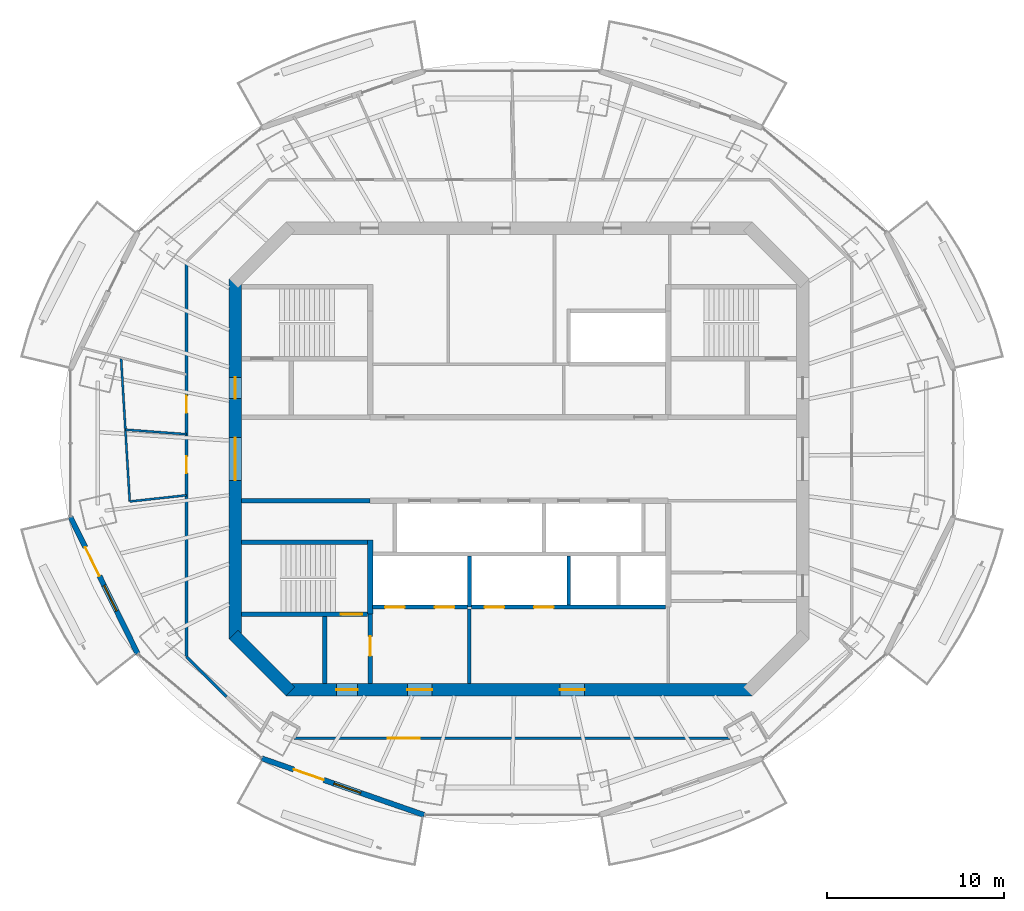
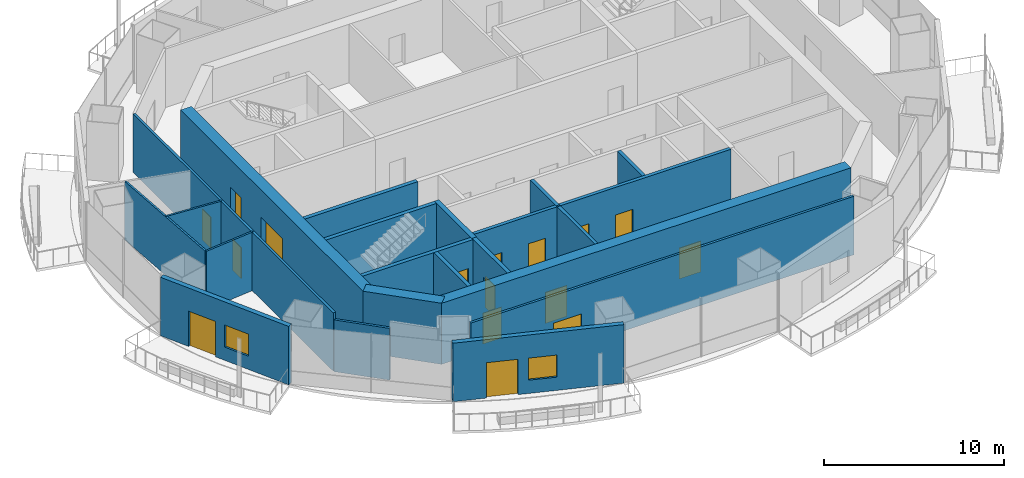
# One storey, part 8 of 15: 22 walls, 16 doors, 2 windows, 18 openings.
"""IFC4 building model written with IfcOpenShell, lengths in metres."""

from ifc_helpers import new_model, si_unit, direction, frame, frame_2d, origin, place, context, subcontext, project, spatial, rectangle, extrude, material, layer, layer_set, type_object, element, fill, save


model = new_model("IFC4")

# Units and contexts
model_context = context("Model", 3, precision=1e-05, world=origin(), true_north=direction((0.0, 1.0)))
body_context = subcontext(model_context, "Body", "Model", "MODEL_VIEW")
ifc_project = project(units=[si_unit("LENGTHUNIT", "METRE"), si_unit("AREAUNIT", "SQUARE_METRE"), si_unit("VOLUMEUNIT", "CUBIC_METRE"), si_unit("PLANEANGLEUNIT", "RADIAN"), si_unit("MASSUNIT", "GRAM", prefix="KILO")], contexts=[model_context])

# Site, building, storey
site_placement = place(None, origin())
site = spatial("IfcSite", under=ifc_project, at=site_placement, CompositionType="ELEMENT")
building_placement = place(site_placement, origin())
building = spatial("IfcBuilding", under=site, at=building_placement, Name="Marenthal Gate Tower", CompositionType="ELEMENT")
storey_placement = place(building_placement, frame((0.0, 0.0, 384.10009765625)))
storey = spatial("IfcBuildingStorey", under=building, at=storey_placement, Name="L87", CompositionType="ELEMENT", Elevation=384.10009765625)

# Wall, openings, doors
ifc_material_1 = material(Name="Concrete 60 MPa", Category="concrete")
ifc_layer_1 = layer(ifc_material_1, 0.699951171875)
ifc_layer_set_1 = layer_set([ifc_layer_1], Name="Core shear wall 700")
wall_type_1 = type_object("IfcWallType", Name="Core shear wall 700", PredefinedType="SHEAR", material=ifc_layer_set_1)
wall_1_placement = place(storey_placement, frame((-16.0, 10.14501953125, -0.18017578125), z_axis=(0.0, 0.0, 1.0), x_axis=(0.0, -1.0, 0.0)))
wall_1 = element("IfcWall", 1, at=wall_1_placement, inside=storey, type_object=wall_type_1, Name="Core wall 06", PredefinedType="SHEAR", context=body_context, shape_type="SweptSolid", body=[
    extrude(rectangle(XDim=20.2900390625, YDim=0.699951171875, at=frame_2d((10.14501953125, 0.0))), origin(), (0.0, 0.0, 1.0), 4.150146484375),
])
opening_1_placement = place(wall_1_placement, frame((8.945068359375, 0.0, 0.179931640625)))
opening_1 = element("IfcOpeningElement", 2, at=opening_1_placement, cuts=wall_1, Name="Opening D003.01", PredefinedType="OPENING", context=body_context, shape_type="SweptSolid", body=[
    extrude(rectangle(XDim=2.39990234375, YDim=2.10009765625, at=frame_2d((1.199951171875, 1.050048828125))), frame((0.0, 0.35986328125, 0.0), z_axis=(0.0, -1.0, 0.0), x_axis=(1.0, 0.0, 0.0)), (0.0, 0.0, 1.0), 0.719970703125),
])
opening_2_placement = place(wall_1_placement, frame((5.544921875, 0.0, 0.179931640625)))
opening_2 = element("IfcOpeningElement", 3, at=opening_2_placement, cuts=wall_1, Name="Opening D001.04", PredefinedType="OPENING", context=body_context, shape_type="SweptSolid", body=[
    extrude(rectangle(XDim=1.199951171875, YDim=2.10009765625, at=frame_2d((0.60009765625, 1.050048828125))), frame((0.0, 0.35986328125, 0.0), z_axis=(0.0, -1.0, 0.0), x_axis=(1.0, 0.0, 0.0)), (0.0, 0.0, 1.0), 0.719970703125),
])
ifc_material_2 = material(Name="Steel fire door", Category="steel")
door_type_1 = type_object("IfcDoorType", Name="Double fire door FD 45 2400 x 2100", OperationType="DOUBLE_DOOR_SINGLE_SWING", PredefinedType="DOOR", material=ifc_material_2)
door_1_placement = place(opening_1_placement, origin())
door_1 = element("IfcDoor", 4, at=door_1_placement, inside=storey, type_object=door_type_1, Name="Door D003.01", OperationType="DOUBLE_DOOR_SINGLE_SWING", OverallHeight=2.10009765625, OverallWidth=2.39990234375, PredefinedType="DOOR", context=body_context, shape_type="SweptSolid", body=[
    extrude(rectangle(XDim=2.39990234375, YDim=2.10009765625, at=frame_2d((1.199951171875, 1.050048828125))), frame((0.0, 0.02490234375, 0.0), z_axis=(0.0, -1.0, 0.0), x_axis=(1.0, 0.0, 0.0)), (0.0, 0.0, 1.0), 0.050048828125),
])
fill(opening_1, door_1)
ifc_material_3 = material(Name="Steel fire door", Category="steel")
door_type_2 = type_object("IfcDoorType", Name="Fire door FD 90 1200 x 2100", OperationType="NOTDEFINED", PredefinedType="DOOR", material=ifc_material_3)
door_2_placement = place(opening_2_placement, origin())
door_2 = element("IfcDoor", 5, at=door_2_placement, inside=storey, type_object=door_type_2, Name="Door D001.04", OperationType="SINGLE_SWING_RIGHT", OverallHeight=2.10009765625, OverallWidth=1.199951171875, PredefinedType="DOOR", context=body_context, shape_type="SweptSolid", body=[
    extrude(rectangle(XDim=1.199951171875, YDim=2.10009765625, at=frame_2d((0.60009765625, 1.050048828125))), frame((0.0, 0.02490234375, 0.0), z_axis=(0.0, -1.0, 0.0), x_axis=(1.0, 0.0, 0.0)), (0.0, 0.0, 1.0), 0.050048828125),
])
fill(opening_2, door_2)

# Wall
wall_2_placement = place(storey_placement, frame((-16.1025390625, -9.8974609375, -0.18017578125), z_axis=(0.0, 0.0, 1.0), x_axis=(0.707106781187, -0.707106781187, 0.0)))
element("IfcWall", 6, at=wall_2_placement, inside=storey, type_object=wall_type_1, Name="Core wall 07", PredefinedType="SHEAR", context=body_context, shape_type="SweptSolid", body=[
    extrude(rectangle(XDim=4.53271484375, YDim=0.699951171875, at=frame_2d((2.266357421875, 0.0))), origin(), (0.0, 0.0, 1.0), 4.150146484375),
])

# Wall, openings, doors
wall_3_placement = place(storey_placement, frame((-13.14501953125, -13.0, -0.18017578125), z_axis=(0.0, 0.0, 1.0), x_axis=(1.0, 0.0, 0.0)))
wall_3 = element("IfcWall", 7, at=wall_3_placement, inside=storey, type_object=wall_type_1, Name="Core wall 08", PredefinedType="SHEAR", context=body_context, shape_type="SweptSolid", body=[
    extrude(rectangle(XDim=26.2900390625, YDim=0.699951171875, at=frame_2d((13.14501953125, 0.0))), origin(), (0.0, 0.0, 1.0), 4.150146484375),
])
opening_3_placement = place(wall_3_placement, frame((2.844970703125, 0.0, 0.179931640625)))
opening_3 = element("IfcOpeningElement", 8, at=opening_3_placement, cuts=wall_3, Name="Opening D001.06", PredefinedType="OPENING", context=body_context, shape_type="SweptSolid", body=[
    extrude(rectangle(XDim=1.199951171875, YDim=2.10009765625, at=frame_2d((0.60009765625, 1.050048828125))), frame((0.0, 0.35986328125, 0.0), z_axis=(0.0, -1.0, 0.0), x_axis=(1.0, 0.0, 0.0)), (0.0, 0.0, 1.0), 0.719970703125),
])
opening_4_placement = place(wall_3_placement, frame((6.844970703125, 0.0, 0.179931640625)))
opening_4 = element("IfcOpeningElement", 9, at=opening_4_placement, cuts=wall_3, Name="Opening D004.01", PredefinedType="OPENING", context=body_context, shape_type="SweptSolid", body=[
    extrude(rectangle(XDim=1.39990234375, YDim=2.10009765625, at=frame_2d((0.699951171875, 1.050048828125))), frame((0.0, 0.35986328125, 0.0), z_axis=(0.0, -1.0, 0.0), x_axis=(1.0, 0.0, 0.0)), (0.0, 0.0, 1.0), 0.719970703125),
])
opening_5_placement = place(wall_3_placement, frame((15.445068359375, 0.0, 0.179931640625)))
opening_5 = element("IfcOpeningElement", 10, at=opening_5_placement, cuts=wall_3, Name="Opening D004.02", PredefinedType="OPENING", context=body_context, shape_type="SweptSolid", body=[
    extrude(rectangle(XDim=1.39990234375, YDim=2.10009765625, at=frame_2d((0.699951171875, 1.050048828125))), frame((0.0, 0.35986328125, 0.0), z_axis=(0.0, -1.0, 0.0), x_axis=(1.0, 0.0, 0.0)), (0.0, 0.0, 1.0), 0.719970703125),
])
ifc_material_4 = material(Name="Steel fire door", Category="steel")
door_type_3 = type_object("IfcDoorType", Name="Fire door FD 45 1400 x 2100", OperationType="NOTDEFINED", PredefinedType="DOOR", material=ifc_material_4)
door_3_placement = place(opening_4_placement, origin())
door_3 = element("IfcDoor", 11, at=door_3_placement, inside=storey, type_object=door_type_3, Name="Door D004.01", OperationType="SINGLE_SWING_RIGHT", OverallHeight=2.10009765625, OverallWidth=1.39990234375, PredefinedType="DOOR", context=body_context, shape_type="SweptSolid", body=[
    extrude(rectangle(XDim=1.39990234375, YDim=2.10009765625, at=frame_2d((0.699951171875, 1.050048828125))), frame((0.0, 0.02490234375, 0.0), z_axis=(0.0, -1.0, 0.0), x_axis=(1.0, 0.0, 0.0)), (0.0, 0.0, 1.0), 0.050048828125),
])
fill(opening_4, door_3)
door_4_placement = place(opening_5_placement, origin())
door_4 = element("IfcDoor", 12, at=door_4_placement, inside=storey, type_object=door_type_3, Name="Door D004.02", OperationType="SINGLE_SWING_RIGHT", OverallHeight=2.10009765625, OverallWidth=1.39990234375, PredefinedType="DOOR", context=body_context, shape_type="SweptSolid", body=[
    extrude(rectangle(XDim=1.39990234375, YDim=2.10009765625, at=frame_2d((0.699951171875, 1.050048828125))), frame((0.0, 0.02490234375, 0.0), z_axis=(0.0, -1.0, 0.0), x_axis=(1.0, 0.0, 0.0)), (0.0, 0.0, 1.0), 0.050048828125),
])
fill(opening_5, door_4)
door_5_placement = place(opening_3_placement, origin())
door_5 = element("IfcDoor", 13, at=door_5_placement, inside=storey, type_object=door_type_2, Name="Door D001.06", OperationType="SINGLE_SWING_RIGHT", OverallHeight=2.10009765625, OverallWidth=1.199951171875, PredefinedType="DOOR", context=body_context, shape_type="SweptSolid", body=[
    extrude(rectangle(XDim=1.199951171875, YDim=2.10009765625, at=frame_2d((0.60009765625, 1.050048828125))), frame((0.0, 0.02490234375, 0.0), z_axis=(0.0, -1.0, 0.0), x_axis=(1.0, 0.0, 0.0)), (0.0, 0.0, 1.0), 0.050048828125),
])
fill(opening_3, door_5)

# Walls
ifc_material_5 = material(Name="Gypsum board on steel studs", Category="steel")
ifc_layer_2 = layer(ifc_material_5, 0.199951171875)
ifc_layer_set_2 = layer_set([ifc_layer_2], Name="Fire lobby wall 200")
wall_type_2 = type_object("IfcWallType", Name="Fire lobby wall 200", PredefinedType="PARTITIONING", material=ifc_layer_set_2)
wall_4_placement = place(storey_placement, frame((-2.800048828125, -12.64990234375, 0.0), z_axis=(0.0, 0.0, 1.0), x_axis=(0.0, 1.0, 0.0)))
element("IfcWall", 14, at=wall_4_placement, inside=storey, type_object=wall_type_2, Name="Fire wall 37", PredefinedType="PARTITIONING", context=body_context, shape_type="SweptSolid", body=[
    extrude(rectangle(XDim=4.18994140625, YDim=0.199951171875, at=frame_2d((2.094970703125, 0.0))), origin(), (0.0, 0.0, 1.0), 3.969970703125),
])
ifc_material_6 = material(Name="Concrete 50 MPa", Category="concrete")
ifc_layer_3 = layer(ifc_material_6, 0.300048828125)
ifc_layer_set_3 = layer_set([ifc_layer_3], Name="Hoistway shear wall 300")
wall_type_3 = type_object("IfcWallType", Name="Hoistway shear wall 300", PredefinedType="SHEAR", material=ifc_layer_set_3)
wall_5_placement = place(storey_placement, frame((-8.39990234375, -8.75, -0.18017578125), z_axis=(0.0, 0.0, 1.0), x_axis=(0.0, 1.0, 0.0)))
element("IfcWall", 15, at=wall_5_placement, inside=storey, type_object=wall_type_3, Name="Hoistway wall 32", PredefinedType="SHEAR", context=body_context, shape_type="SweptSolid", body=[
    extrude(rectangle(XDim=4.175048828125, YDim=0.300048828125, at=frame_2d((2.08740234375, 0.0))), origin(), (0.0, 0.0, 1.0), 4.150146484375),
])

# Wall, openings, doors
ifc_material_7 = material(Name="Concrete 40 MPa", Category="concrete")
ifc_layer_4 = layer(ifc_material_7, 0.219970703125)
ifc_layer_set_4 = layer_set([ifc_layer_4], Name="Hoistway wall 220")
wall_type_4 = type_object("IfcWallType", Name="Hoistway wall 220", PredefinedType="STANDARD", material=ifc_layer_set_4)
wall_6_placement = place(storey_placement, frame((-8.25, -8.35009765625, 0.0), z_axis=(0.0, 0.0, 1.0), x_axis=(1.0, 0.0, 0.0)))
wall_6 = element("IfcWall", 16, at=wall_6_placement, inside=storey, type_object=wall_type_4, Name="Hoistway wall 10", PredefinedType="STANDARD", context=body_context, shape_type="SweptSolid", body=[
    extrude(rectangle(XDim=5.340087890625, YDim=0.219970703125, at=frame_2d((2.669921875, 0.0))), origin(), (0.0, 0.0, 1.0), 3.969970703125),
])
opening_6_placement = place(wall_6_placement, frame((0.699951171875, 0.0, 0.0)))
opening_6 = element("IfcOpeningElement", 17, at=opening_6_placement, cuts=wall_6, Name="Opening LD-LF1", PredefinedType="OPENING", context=body_context, shape_type="SweptSolid", body=[
    extrude(rectangle(XDim=1.10009765625, YDim=2.10009765625, at=frame_2d((0.550048828125, 1.050048828125))), frame((0.0, 0.1201171875, 0.0), z_axis=(0.0, -1.0, 0.0), x_axis=(1.0, 0.0, 0.0)), (0.0, 0.0, 1.0), 0.239990234375),
])
opening_7_placement = place(wall_6_placement, frame((3.5, 0.0, 0.0)))
opening_7 = element("IfcOpeningElement", 18, at=opening_7_placement, cuts=wall_6, Name="Opening LD-LF2", PredefinedType="OPENING", context=body_context, shape_type="SweptSolid", body=[
    extrude(rectangle(XDim=1.10009765625, YDim=2.10009765625, at=frame_2d((0.550048828125, 1.050048828125))), frame((0.0, 0.1201171875, 0.0), z_axis=(0.0, -1.0, 0.0), x_axis=(1.0, 0.0, 0.0)), (0.0, 0.0, 1.0), 0.239990234375),
])
ifc_material_8 = material(Name="Stainless steel sliding door", Category="steel")
door_type_4 = type_object("IfcDoorType", Name="Lift landing door FD 90 1100 x 2100", OperationType="DOUBLE_DOOR_SLIDING", PredefinedType="DOOR", material=ifc_material_8)
door_6_placement = place(opening_6_placement, origin())
door_6 = element("IfcDoor", 19, at=door_6_placement, inside=storey, type_object=door_type_4, Name="Lift landing door LF1", OperationType="DOUBLE_DOOR_SLIDING", OverallHeight=2.10009765625, OverallWidth=1.10009765625, PredefinedType="DOOR", context=body_context, shape_type="SweptSolid", body=[
    extrude(rectangle(XDim=1.10009765625, YDim=2.10009765625, at=frame_2d((0.550048828125, 1.050048828125))), frame((0.0, 0.02490234375, 0.0), z_axis=(0.0, -1.0, 0.0), x_axis=(1.0, 0.0, 0.0)), (0.0, 0.0, 1.0), 0.050048828125),
])
fill(opening_6, door_6)
door_7_placement = place(opening_7_placement, origin())
door_7 = element("IfcDoor", 20, at=door_7_placement, inside=storey, type_object=door_type_4, Name="Lift landing door LF2", OperationType="DOUBLE_DOOR_SLIDING", OverallHeight=2.10009765625, OverallWidth=1.10009765625, PredefinedType="DOOR", context=body_context, shape_type="SweptSolid", body=[
    extrude(rectangle(XDim=1.10009765625, YDim=2.10009765625, at=frame_2d((0.550048828125, 1.050048828125))), frame((0.0, 0.02490234375, 0.0), z_axis=(0.0, -1.0, 0.0), x_axis=(1.0, 0.0, 0.0)), (0.0, 0.0, 1.0), 0.050048828125),
])
fill(opening_7, door_7)

wall_7_placement = place(storey_placement, frame((-2.68994140625, -8.35009765625, 0.0), z_axis=(0.0, 0.0, 1.0), x_axis=(1.0, 0.0, 0.0)))
wall_7 = element("IfcWall", 21, at=wall_7_placement, inside=storey, type_object=wall_type_4, Name="Hoistway wall 11", PredefinedType="STANDARD", context=body_context, shape_type="SweptSolid", body=[
    extrude(rectangle(XDim=10.93994140625, YDim=0.219970703125, at=frame_2d((5.469970703125, 0.0))), origin(), (0.0, 0.0, 1.0), 3.969970703125),
])
opening_8_placement = place(wall_7_placement, frame((0.739990234375, 0.0, 0.0)))
opening_8 = element("IfcOpeningElement", 22, at=opening_8_placement, cuts=wall_7, Name="Opening LD-SV1", PredefinedType="OPENING", context=body_context, shape_type="SweptSolid", body=[
    extrude(rectangle(XDim=1.10009765625, YDim=2.10009765625, at=frame_2d((0.550048828125, 1.050048828125))), frame((0.0, 0.1201171875, 0.0), z_axis=(0.0, -1.0, 0.0), x_axis=(1.0, 0.0, 0.0)), (0.0, 0.0, 1.0), 0.239990234375),
])
opening_9_placement = place(wall_7_placement, frame((3.5400390625, 0.0, 0.0)))
opening_9 = element("IfcOpeningElement", 23, at=opening_9_placement, cuts=wall_7, Name="Opening LD-SV2", PredefinedType="OPENING", context=body_context, shape_type="SweptSolid", body=[
    extrude(rectangle(XDim=1.10009765625, YDim=2.10009765625, at=frame_2d((0.550048828125, 1.050048828125))), frame((0.0, 0.1201171875, 0.0), z_axis=(0.0, -1.0, 0.0), x_axis=(1.0, 0.0, 0.0)), (0.0, 0.0, 1.0), 0.239990234375),
])
door_8_placement = place(opening_8_placement, origin())
door_8 = element("IfcDoor", 24, at=door_8_placement, inside=storey, type_object=door_type_4, Name="Lift landing door SV1", OperationType="DOUBLE_DOOR_SLIDING", OverallHeight=2.10009765625, OverallWidth=1.10009765625, PredefinedType="DOOR", context=body_context, shape_type="SweptSolid", body=[
    extrude(rectangle(XDim=1.10009765625, YDim=2.10009765625, at=frame_2d((0.550048828125, 1.050048828125))), frame((0.0, 0.02490234375, 0.0), z_axis=(0.0, -1.0, 0.0), x_axis=(1.0, 0.0, 0.0)), (0.0, 0.0, 1.0), 0.050048828125),
])
fill(opening_8, door_8)
door_9_placement = place(opening_9_placement, origin())
door_9 = element("IfcDoor", 25, at=door_9_placement, inside=storey, type_object=door_type_4, Name="Lift landing door SV2", OperationType="DOUBLE_DOOR_SLIDING", OverallHeight=2.10009765625, OverallWidth=1.10009765625, PredefinedType="DOOR", context=body_context, shape_type="SweptSolid", body=[
    extrude(rectangle(XDim=1.10009765625, YDim=2.10009765625, at=frame_2d((0.550048828125, 1.050048828125))), frame((0.0, 0.02490234375, 0.0), z_axis=(0.0, -1.0, 0.0), x_axis=(1.0, 0.0, 0.0)), (0.0, 0.0, 1.0), 0.050048828125),
])
fill(opening_9, door_9)

# Walls
wall_8_placement = place(storey_placement, frame((-2.800048828125, -8.35009765625, 0.0), z_axis=(0.0, 0.0, 1.0), x_axis=(0.0, 1.0, 0.0)))
element("IfcWall", 26, at=wall_8_placement, inside=storey, type_object=wall_type_4, Name="Hoistway wall 38", PredefinedType="STANDARD", context=body_context, shape_type="SweptSolid", body=[
    extrude(rectangle(XDim=2.89013671875, YDim=0.219970703125, at=frame_2d((1.445068359375, 0.0))), origin(), (0.0, 0.0, 1.0), 3.969970703125),
])
wall_9_placement = place(storey_placement, frame((2.800048828125, -8.239990234375, 0.0), z_axis=(0.0, 0.0, 1.0), x_axis=(0.0, 1.0, 0.0)))
element("IfcWall", 27, at=wall_9_placement, inside=storey, type_object=wall_type_4, Name="Hoistway wall 42", PredefinedType="STANDARD", context=body_context, shape_type="SweptSolid", body=[
    extrude(rectangle(XDim=2.780029296875, YDim=0.219970703125, at=frame_2d((1.39013671875, 0.0))), origin(), (0.0, 0.0, 1.0), 3.969970703125),
])
ifc_material_9 = material(Name="Gypsum board on steel studs", Category="steel")
ifc_layer_5 = layer(ifc_material_9, 0.1201171875)
ifc_layer_set_5 = layer_set([ifc_layer_5], Name="Partition 120")
wall_type_5 = type_object("IfcWallType", Name="Partition 120", PredefinedType="PARTITIONING", material=ifc_layer_set_5)
wall_10_placement = place(storey_placement, frame((-22.4384765625, 5.70263671875, 0.0), z_axis=(0.0, 0.0, 1.0), x_axis=(0.060251539716, -0.998183225646, 0.0)))
element("IfcWall", 28, at=wall_10_placement, inside=storey, type_object=wall_type_5, Name="Partition wall 52", PredefinedType="PARTITIONING", context=body_context, shape_type="SweptSolid", body=[
    extrude(rectangle(XDim=8.112060546875, YDim=0.1201171875, at=frame_2d((4.05615234375, 0.0))), origin(), (0.0, 0.0, 1.0), 3.969970703125),
])
wall_11_placement = place(storey_placement, frame((-22.194091796875, 1.654052734375, 0.0), z_axis=(0.0, 0.0, 1.0), x_axis=(0.997230984546, -0.074366413535, 0.0)))
element("IfcWall", 29, at=wall_11_placement, inside=storey, type_object=wall_type_5, Name="Partition wall 53", PredefinedType="PARTITIONING", context=body_context, shape_type="SweptSolid", body=[
    extrude(rectangle(XDim=3.45361328125, YDim=0.1201171875, at=frame_2d((1.726806640625, 0.0))), origin(), (0.0, 0.0, 1.0), 3.969970703125),
])
wall_12_placement = place(storey_placement, frame((-21.94970703125, -2.394775390625, 0.0), z_axis=(0.0, 0.0, 1.0), x_axis=(0.994100094927, 0.10846659055, 0.0)))
element("IfcWall", 30, at=wall_12_placement, inside=storey, type_object=wall_type_5, Name="Partition wall 54", PredefinedType="PARTITIONING", context=body_context, shape_type="SweptSolid", body=[
    extrude(rectangle(XDim=3.21875, YDim=0.1201171875, at=frame_2d((1.609375, 0.0))), origin(), (0.0, 0.0, 1.0), 3.969970703125),
])

# Wall, openings, doors
ifc_material_10 = material(Name="Gypsum board on steel studs", Category="steel")
ifc_layer_6 = layer(ifc_material_10, 0.14990234375)
ifc_layer_set_6 = layer_set([ifc_layer_6], Name="Partition 150")
wall_type_6 = type_object("IfcWallType", Name="Partition 150", PredefinedType="PARTITIONING", material=ifc_layer_set_6)
wall_13_placement = place(storey_placement, frame((-18.75, -11.13916015625, 0.0), z_axis=(0.0, 0.0, 1.0), x_axis=(0.0, 1.0, 0.0)))
wall_13 = element("IfcWall", 31, at=wall_13_placement, inside=storey, type_object=wall_type_6, Name="Partition wall 55", PredefinedType="PARTITIONING", context=body_context, shape_type="SweptSolid", body=[
    extrude(rectangle(XDim=22.2783203125, YDim=0.14990234375, at=frame_2d((11.13916015625, 0.0))), origin(), (0.0, 0.0, 1.0), 3.969970703125),
])
opening_10_placement = place(wall_13_placement, frame((13.7451171875, 0.0, 0.0)))
opening_10 = element("IfcOpeningElement", 32, at=opening_10_placement, cuts=wall_13, Name="Opening D016.05", PredefinedType="OPENING", context=body_context, shape_type="SweptSolid", body=[
    extrude(rectangle(XDim=0.949951171875, YDim=2.10009765625, at=frame_2d((0.47509765625, 1.050048828125))), frame((0.0, 0.0849609375, 0.0), z_axis=(0.0, -1.0, 0.0), x_axis=(1.0, 0.0, 0.0)), (0.0, 0.0, 1.0), 0.169921875),
])
opening_11_placement = place(wall_13_placement, frame((10.340087890625, 0.0, 0.0)))
opening_11 = element("IfcOpeningElement", 33, at=opening_11_placement, cuts=wall_13, Name="Opening D016.06", PredefinedType="OPENING", context=body_context, shape_type="SweptSolid", body=[
    extrude(rectangle(XDim=0.949951171875, YDim=2.10009765625, at=frame_2d((0.47509765625, 1.050048828125))), frame((0.0, 0.0849609375, 0.0), z_axis=(0.0, -1.0, 0.0), x_axis=(1.0, 0.0, 0.0)), (0.0, 0.0, 1.0), 0.169921875),
])
ifc_material_11 = material(Name="Timber door", Category="wood")
door_type_5 = type_object("IfcDoorType", Name="Door 950 x 2100", OperationType="NOTDEFINED", PredefinedType="DOOR", material=ifc_material_11)
door_10_placement = place(opening_10_placement, origin())
door_10 = element("IfcDoor", 34, at=door_10_placement, inside=storey, type_object=door_type_5, Name="Door D016.05", OperationType="SINGLE_SWING_RIGHT", OverallHeight=2.10009765625, OverallWidth=0.949951171875, PredefinedType="DOOR", context=body_context, shape_type="SweptSolid", body=[
    extrude(rectangle(XDim=0.949951171875, YDim=2.10009765625, at=frame_2d((0.47509765625, 1.050048828125))), frame((0.0, 0.02490234375, 0.0), z_axis=(0.0, -1.0, 0.0), x_axis=(1.0, 0.0, 0.0)), (0.0, 0.0, 1.0), 0.050048828125),
])
fill(opening_10, door_10)
door_11_placement = place(opening_11_placement, origin())
door_11 = element("IfcDoor", 35, at=door_11_placement, inside=storey, type_object=door_type_5, Name="Door D016.06", OperationType="SINGLE_SWING_RIGHT", OverallHeight=2.10009765625, OverallWidth=0.949951171875, PredefinedType="DOOR", context=body_context, shape_type="SweptSolid", body=[
    extrude(rectangle(XDim=0.949951171875, YDim=2.10009765625, at=frame_2d((0.47509765625, 1.050048828125))), frame((0.0, 0.02490234375, 0.0), z_axis=(0.0, -1.0, 0.0), x_axis=(1.0, 0.0, 0.0)), (0.0, 0.0, 1.0), 0.050048828125),
])
fill(opening_11, door_11)

# Wall
wall_14_placement = place(storey_placement, frame((-16.490478515625, -13.3984375, 0.0), z_axis=(0.0, 0.0, 1.0), x_axis=(-0.707144983557, 0.707068576752, 0.0)))
element("IfcWall", 36, at=wall_14_placement, inside=storey, type_object=wall_type_6, Name="Partition wall 78", PredefinedType="PARTITIONING", context=body_context, shape_type="SweptSolid", body=[
    extrude(rectangle(XDim=3.1953125, YDim=0.14990234375, at=frame_2d((1.59765625, 0.0))), origin(), (0.0, 0.0, 1.0), 3.512939453125),
])

# Wall, opening, door
wall_15_placement = place(storey_placement, frame((11.896728515625, -15.75, 0.0), z_axis=(0.0, 0.0, 1.0), x_axis=(-1.0, 0.0, 0.0)))
wall_15 = element("IfcWall", 37, at=wall_15_placement, inside=storey, type_object=wall_type_6, Name="Partition wall 68", PredefinedType="PARTITIONING", context=body_context, shape_type="SweptSolid", body=[
    extrude(rectangle(XDim=24.593505859375, YDim=0.14990234375, at=frame_2d((12.296875, 0.0))), origin(), (0.0, 0.0, 1.0), 3.969970703125),
])
opening_12_placement = place(wall_15_placement, frame((17.501953125, 0.0, 0.0)))
opening_12 = element("IfcOpeningElement", 38, at=opening_12_placement, cuts=wall_15, Name="Opening D014.02", PredefinedType="OPENING", context=body_context, shape_type="SweptSolid", body=[
    extrude(rectangle(XDim=1.800048828125, YDim=2.10009765625, at=frame_2d((0.89990234375, 1.050048828125))), frame((0.0, 0.0849609375, 0.0), z_axis=(0.0, -1.0, 0.0), x_axis=(1.0, 0.0, 0.0)), (0.0, 0.0, 1.0), 0.169921875),
])
ifc_material_12 = material(Name="Timber door", Category="wood")
door_type_6 = type_object("IfcDoorType", Name="Double door 1800 x 2100", OperationType="DOUBLE_DOOR_SINGLE_SWING", PredefinedType="DOOR", material=ifc_material_12)
door_12_placement = place(opening_12_placement, origin())
door_12 = element("IfcDoor", 39, at=door_12_placement, inside=storey, type_object=door_type_6, Name="Door D014.02", OperationType="DOUBLE_DOOR_SINGLE_SWING", OverallHeight=2.10009765625, OverallWidth=1.800048828125, PredefinedType="DOOR", context=body_context, shape_type="SweptSolid", body=[
    extrude(rectangle(XDim=1.800048828125, YDim=2.10009765625, at=frame_2d((0.89990234375, 1.050048828125))), frame((0.0, 0.02490234375, 0.0), z_axis=(0.0, -1.0, 0.0), x_axis=(1.0, 0.0, 0.0)), (0.0, 0.0, 1.0), 0.050048828125),
])
fill(opening_12, door_12)

# Walls
ifc_material_13 = material(Name="Concrete 40 MPa", Category="concrete")
ifc_layer_7 = layer(ifc_material_13, 0.25)
ifc_layer_set_7 = layer_set([ifc_layer_7], Name="Stair enclosure wall 250")
wall_type_7 = type_object("IfcWallType", Name="Stair enclosure wall 250", PredefinedType="STANDARD", material=ifc_layer_set_7)
wall_16_placement = place(storey_placement, frame((-15.64990234375, -2.35009765625, 0.0), z_axis=(0.0, 0.0, 1.0), x_axis=(1.0, 0.0, 0.0)))
element("IfcWall", 40, at=wall_16_placement, inside=storey, type_object=wall_type_7, Name="Stair wall 16", PredefinedType="STANDARD", context=body_context, shape_type="SweptSolid", body=[
    extrude(rectangle(XDim=7.25, YDim=0.25, at=frame_2d((3.625, 0.0))), origin(), (0.0, 0.0, 1.0), 3.969970703125),
])
wall_17_placement = place(storey_placement, frame((-10.949951171875, -12.64990234375, 0.0), z_axis=(0.0, 0.0, 1.0), x_axis=(0.0, 1.0, 0.0)))
element("IfcWall", 41, at=wall_17_placement, inside=storey, type_object=wall_type_7, Name="Stair wall 30", PredefinedType="STANDARD", context=body_context, shape_type="SweptSolid", body=[
    extrude(rectangle(XDim=3.77490234375, YDim=0.25, at=frame_2d((1.887451171875, 0.0))), origin(), (0.0, 0.0, 1.0), 3.969970703125),
])

# Wall, opening, door
wall_18_placement = place(storey_placement, frame((-8.39990234375, -12.64990234375, 0.0), z_axis=(0.0, 0.0, 1.0), x_axis=(0.0, 1.0, 0.0)))
wall_18 = element("IfcWall", 42, at=wall_18_placement, inside=storey, type_object=wall_type_7, Name="Stair wall 31", PredefinedType="STANDARD", context=body_context, shape_type="SweptSolid", body=[
    extrude(rectangle(XDim=3.89990234375, YDim=0.25, at=frame_2d((1.949951171875, 0.0))), origin(), (0.0, 0.0, 1.0), 3.969970703125),
])
opening_13_placement = place(wall_18_placement, frame((1.550048828125, 0.0, 0.0)))
opening_13 = element("IfcOpeningElement", 43, at=opening_13_placement, cuts=wall_18, Name="Opening D002.01", PredefinedType="OPENING", context=body_context, shape_type="SweptSolid", body=[
    extrude(rectangle(XDim=1.10009765625, YDim=2.10009765625, at=frame_2d((0.550048828125, 1.050048828125))), frame((0.0, 0.135009765625, 0.0), z_axis=(0.0, -1.0, 0.0), x_axis=(1.0, 0.0, 0.0)), (0.0, 0.0, 1.0), 0.27001953125),
])
ifc_material_14 = material(Name="Steel fire door", Category="steel")
door_type_7 = type_object("IfcDoorType", Name="Fire door FD 90 1100 x 2100", OperationType="NOTDEFINED", PredefinedType="DOOR", material=ifc_material_14)
door_13_placement = place(opening_13_placement, origin())
door_13 = element("IfcDoor", 44, at=door_13_placement, inside=storey, type_object=door_type_7, Name="Door D002.01", OperationType="SINGLE_SWING_RIGHT", OverallHeight=2.10009765625, OverallWidth=1.10009765625, PredefinedType="DOOR", context=body_context, shape_type="SweptSolid", body=[
    extrude(rectangle(XDim=1.10009765625, YDim=2.10009765625, at=frame_2d((0.550048828125, 1.050048828125))), frame((0.0, 0.02490234375, 0.0), z_axis=(0.0, -1.0, 0.0), x_axis=(1.0, 0.0, 0.0)), (0.0, 0.0, 1.0), 0.050048828125),
])
fill(opening_13, door_13)

ifc_material_15 = material(Name="Concrete 50 MPa", Category="concrete")
ifc_layer_8 = layer(ifc_material_15, 0.25)
ifc_layer_set_8 = layer_set([ifc_layer_8], Name="Stair shear wall 250")
wall_type_8 = type_object("IfcWallType", Name="Stair shear wall 250", PredefinedType="SHEAR", material=ifc_layer_set_8)
wall_19_placement = place(storey_placement, frame((-15.64990234375, -8.75, -0.18017578125), z_axis=(0.0, 0.0, 1.0), x_axis=(1.0, 0.0, 0.0)))
wall_19 = element("IfcWall", 45, at=wall_19_placement, inside=storey, type_object=wall_type_8, Name="Stair wall 09", PredefinedType="SHEAR", context=body_context, shape_type="SweptSolid", body=[
    extrude(rectangle(XDim=7.099853515625, YDim=0.25, at=frame_2d((3.5498046875, 0.0))), origin(), (0.0, 0.0, 1.0), 4.150146484375),
])
opening_14_placement = place(wall_19_placement, frame((5.60009765625, 0.0, 0.179931640625)))
opening_14 = element("IfcOpeningElement", 46, at=opening_14_placement, cuts=wall_19, Name="Opening D001.03", PredefinedType="OPENING", context=body_context, shape_type="SweptSolid", body=[
    extrude(rectangle(XDim=1.199951171875, YDim=2.10009765625, at=frame_2d((0.60009765625, 1.050048828125))), frame((0.0, 0.135009765625, 0.0), z_axis=(0.0, -1.0, 0.0), x_axis=(1.0, 0.0, 0.0)), (0.0, 0.0, 1.0), 0.27001953125),
])
door_14_placement = place(opening_14_placement, origin())
door_14 = element("IfcDoor", 47, at=door_14_placement, inside=storey, type_object=door_type_2, Name="Door D001.03", OperationType="SINGLE_SWING_RIGHT", OverallHeight=2.10009765625, OverallWidth=1.199951171875, PredefinedType="DOOR", context=body_context, shape_type="SweptSolid", body=[
    extrude(rectangle(XDim=1.199951171875, YDim=2.10009765625, at=frame_2d((0.60009765625, 1.050048828125))), frame((0.0, 0.02490234375, 0.0), z_axis=(0.0, -1.0, 0.0), x_axis=(1.0, 0.0, 0.0)), (0.0, 0.0, 1.0), 0.050048828125),
])
fill(opening_14, door_14)

# Wall
wall_20_placement = place(storey_placement, frame((-15.64990234375, -4.699951171875, -0.18017578125), z_axis=(0.0, 0.0, 1.0), x_axis=(1.0, 0.0, 0.0)))
element("IfcWall", 48, at=wall_20_placement, inside=storey, type_object=wall_type_8, Name="Stair wall 15", PredefinedType="SHEAR", context=body_context, shape_type="SweptSolid", body=[
    extrude(rectangle(XDim=7.099853515625, YDim=0.25, at=frame_2d((3.5498046875, 0.0))), origin(), (0.0, 0.0, 1.0), 4.150146484375),
])

# Wall, openings, door, window
ifc_material_16 = material(Name="Terracotta cladding on insulated concrete-block backing", Category="masonry")
ifc_layer_9 = layer(ifc_material_16, 0.300048828125)
ifc_layer_set_9 = layer_set([ifc_layer_9], Name="Terracotta facade wall 300")
wall_type_9 = type_object("IfcWallType", Name="Terracotta facade wall 300", PredefinedType="SOLIDWALL", material=ifc_layer_set_9)
wall_21_placement = place(storey_placement, frame((-25.292236328125, -3.27099609375, 0.0), z_axis=(0.0, 0.0, 1.0), x_axis=(0.441245353493, -0.897386504256, 0.0)))
wall_21 = element("IfcWall", 49, at=wall_21_placement, inside=storey, type_object=wall_type_9, Name="Terracotta facade wall L87 bay 9", PredefinedType="SOLIDWALL", context=body_context, shape_type="SweptSolid", body=[
    extrude(rectangle(XDim=8.58837890625, YDim=0.300048828125, at=frame_2d((4.294189453125, 0.0))), origin(), (0.0, 0.0, 1.0), 3.969970703125),
])
opening_15_placement = place(wall_21_placement, frame((1.89990234375, 0.0, 0.0)))
opening_15 = element("IfcOpeningElement", 50, at=opening_15_placement, cuts=wall_21, Name="Opening BD-L87-09", PredefinedType="OPENING", context=body_context, shape_type="SweptSolid", body=[
    extrude(rectangle(XDim=1.800048828125, YDim=2.39990234375, at=frame_2d((0.89990234375, 1.199951171875))), frame((0.0, 0.16015625, 0.0), z_axis=(0.0, -1.0, 0.0), x_axis=(1.0, 0.0, 0.0)), (0.0, 0.0, 1.0), 0.320068359375),
])
opening_16_placement = place(wall_21_placement, frame((4.300048828125, 0.0, 0.89990234375)))
opening_16 = element("IfcOpeningElement", 51, at=opening_16_placement, cuts=wall_21, Name="Opening WN3-L87-09", PredefinedType="OPENING", context=body_context, shape_type="SweptSolid", body=[
    extrude(rectangle(XDim=1.60009765625, YDim=1.5, at=frame_2d((0.800048828125, 0.75))), frame((0.0, 0.16015625, 0.0), z_axis=(0.0, -1.0, 0.0), x_axis=(1.0, 0.0, 0.0)), (0.0, 0.0, 1.0), 0.320068359375),
])
ifc_material_17 = material(Name="Aluminium and glass", Category="aluminium")
door_type_8 = type_object("IfcDoorType", Name="Balcony door 1800x2400", OperationType="DOUBLE_DOOR_SINGLE_SWING", PredefinedType="DOOR", material=ifc_material_17)
door_15_placement = place(opening_15_placement, origin())
door_15 = element("IfcDoor", 52, at=door_15_placement, inside=storey, type_object=door_type_8, Name="Balcony door L87 bay 9", OperationType="SINGLE_SWING_LEFT", OverallHeight=2.39990234375, OverallWidth=1.800048828125, PredefinedType="DOOR", context=body_context, shape_type="SweptSolid", body=[
    extrude(rectangle(XDim=1.800048828125, YDim=2.39990234375, at=frame_2d((0.89990234375, 1.199951171875))), frame((0.0, 0.02490234375, 0.0), z_axis=(0.0, -1.0, 0.0), x_axis=(1.0, 0.0, 0.0)), (0.0, 0.0, 1.0), 0.050048828125),
])
fill(opening_15, door_15)
ifc_material_18 = material(Name="Aluminium and glass", Category="aluminium")
window_type = type_object("IfcWindowType", Name="Window 1600x1500", PartitioningType="DOUBLE_PANEL_VERTICAL", PredefinedType="WINDOW", material=ifc_material_18)
window_1_placement = place(opening_16_placement, origin())
window_1 = element("IfcWindow", 53, at=window_1_placement, inside=storey, type_object=window_type, Name="Window L87 bay 9", OverallHeight=1.5, OverallWidth=1.60009765625, PartitioningType="SINGLE_PANEL", PredefinedType="WINDOW", context=body_context, shape_type="SweptSolid", body=[
    extrude(rectangle(XDim=1.60009765625, YDim=1.5, at=frame_2d((0.800048828125, 0.75))), frame((0.0, 0.030029296875, 0.0), z_axis=(0.0, -1.0, 0.0), x_axis=(1.0, 0.0, 0.0)), (0.0, 0.0, 1.0), 0.06005859375),
])
fill(opening_16, window_1)

wall_22_placement = place(storey_placement, frame((-14.50048828125, -16.876708984375, 0.0), z_axis=(0.0, 0.0, 1.0), x_axis=(0.944174121216, -0.329446852809, 0.0)))
wall_22 = element("IfcWall", 54, at=wall_22_placement, inside=storey, type_object=wall_type_9, Name="Terracotta facade wall L87 bay 11", PredefinedType="SOLIDWALL", context=body_context, shape_type="SweptSolid", body=[
    extrude(rectangle(XDim=9.690185546875, YDim=0.300048828125, at=frame_2d((4.84521484375, 0.0))), origin(), (0.0, 0.0, 1.0), 3.969970703125),
])
opening_17_placement = place(wall_22_placement, frame((1.89990234375, 0.0, 0.0)))
opening_17 = element("IfcOpeningElement", 55, at=opening_17_placement, cuts=wall_22, Name="Opening BD-L87-11", PredefinedType="OPENING", context=body_context, shape_type="SweptSolid", body=[
    extrude(rectangle(XDim=1.800048828125, YDim=2.39990234375, at=frame_2d((0.89990234375, 1.199951171875))), frame((0.0, 0.16015625, 0.0), z_axis=(0.0, -1.0, 0.0), x_axis=(1.0, 0.0, 0.0)), (0.0, 0.0, 1.0), 0.320068359375),
])
opening_18_placement = place(wall_22_placement, frame((4.300048828125, 0.0, 0.89990234375)))
opening_18 = element("IfcOpeningElement", 56, at=opening_18_placement, cuts=wall_22, Name="Opening WN3-L87-11", PredefinedType="OPENING", context=body_context, shape_type="SweptSolid", body=[
    extrude(rectangle(XDim=1.60009765625, YDim=1.5, at=frame_2d((0.800048828125, 0.75))), frame((0.0, 0.16015625, 0.0), z_axis=(0.0, -1.0, 0.0), x_axis=(1.0, 0.0, 0.0)), (0.0, 0.0, 1.0), 0.320068359375),
])
door_16_placement = place(opening_17_placement, origin())
door_16 = element("IfcDoor", 57, at=door_16_placement, inside=storey, type_object=door_type_8, Name="Balcony door L87 bay 11", OperationType="SINGLE_SWING_LEFT", OverallHeight=2.39990234375, OverallWidth=1.800048828125, PredefinedType="DOOR", context=body_context, shape_type="SweptSolid", body=[
    extrude(rectangle(XDim=1.800048828125, YDim=2.39990234375, at=frame_2d((0.89990234375, 1.199951171875))), frame((0.0, 0.02490234375, 0.0), z_axis=(0.0, -1.0, 0.0), x_axis=(1.0, 0.0, 0.0)), (0.0, 0.0, 1.0), 0.050048828125),
])
fill(opening_17, door_16)
window_2_placement = place(opening_18_placement, origin())
window_2 = element("IfcWindow", 58, at=window_2_placement, inside=storey, type_object=window_type, Name="Window L87 bay 11", OverallHeight=1.5, OverallWidth=1.60009765625, PartitioningType="SINGLE_PANEL", PredefinedType="WINDOW", context=body_context, shape_type="SweptSolid", body=[
    extrude(rectangle(XDim=1.60009765625, YDim=1.5, at=frame_2d((0.800048828125, 0.75))), frame((0.0, 0.030029296875, 0.0), z_axis=(0.0, -1.0, 0.0), x_axis=(1.0, 0.0, 0.0)), (0.0, 0.0, 1.0), 0.06005859375),
])
fill(opening_18, window_2)

save(model, "model.ifc")
